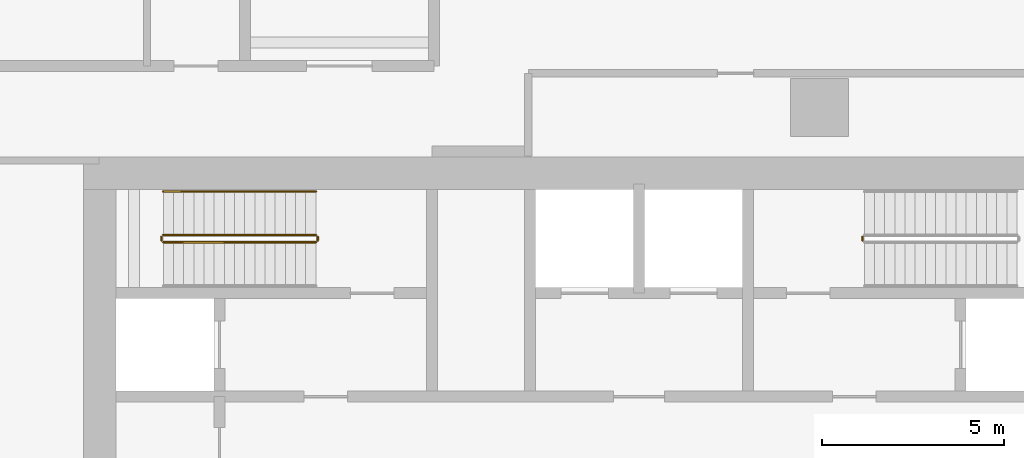
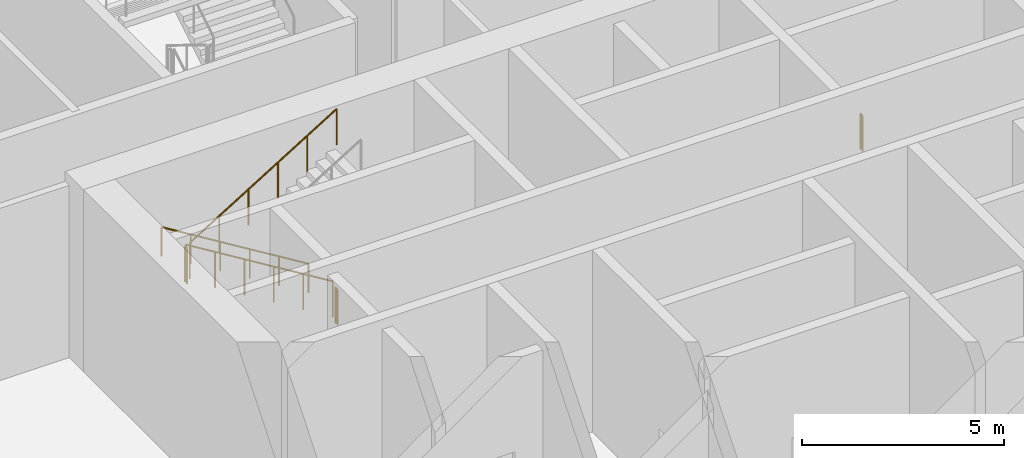
# One storey, part 20 of 31: 6 railings.
"""IFC4 building model written with IfcOpenShell, lengths in metres."""

from ifc_helpers import new_model, si_unit, direction, frame, origin, origin_2d, place, context, subcontext, project, spatial, circle, extrude, material, type_object, element, save


model = new_model("IFC4")

# Units and contexts
model_context = context("Model", 3, precision=1e-05, world=origin(), true_north=direction((0.0, 1.0)))
body_context = subcontext(model_context, "Body", "Model", "MODEL_VIEW")
ifc_project = project(units=[si_unit("LENGTHUNIT", "METRE"), si_unit("AREAUNIT", "SQUARE_METRE"), si_unit("VOLUMEUNIT", "CUBIC_METRE"), si_unit("PLANEANGLEUNIT", "RADIAN"), si_unit("MASSUNIT", "GRAM", prefix="KILO")], contexts=[model_context])

# Site, building, storey
site_placement = place(None, origin())
site = spatial("IfcSite", under=ifc_project, at=site_placement, CompositionType="ELEMENT")
building_placement = place(site_placement, origin())
building = spatial("IfcBuilding", under=site, at=building_placement, Name="Ogive Portal Towers", CompositionType="ELEMENT")
storey_placement = place(building_placement, frame((0.0, 0.0, 8.0)))
storey = spatial("IfcBuildingStorey", under=building, at=storey_placement, Name="L01", CompositionType="ELEMENT", Elevation=8.0)

# Railings
ifc_material_1 = material(Name="Stainless steel balustrade", Category="steel")
railing_type_1 = type_object("IfcRailingType", Name="INT-GUARD", PredefinedType="GUARDRAIL", material=ifc_material_1)
railing_1_placement = place(storey_placement, frame((37.449951171875, 37.800048828125, 0.171875)))
element("IfcRailing", 1, at=railing_1_placement, inside=storey, type_object=railing_type_1, Name="L01 ST-A1 stair guard 1", PredefinedType="GUARDRAIL", context=body_context, shape_type="SweptSolid", body=[
    extrude(circle(Radius=0.02392578125, at=origin_2d()), frame((0.0, 0.0, 1.076171875), z_axis=(-0.852242915053, 0.0, 0.523146264196), x_axis=(0.0, -1.0, 0.0)), (0.0, 0.0, 1.0), 4.92822265625),
    extrude(circle(Radius=0.02099609375, at=origin_2d()), origin(), (0.0, 0.0, 1.0), 1.052001953125),
    extrude(circle(Radius=0.02099609375, at=origin_2d()), frame((-0.840087890625, 0.0, 0.515625)), (0.0, 0.0, 1.0), 1.052001953125),
    extrude(circle(Radius=0.02099609375, at=origin_2d()), frame((-1.679931640625, 0.0, 1.03125)), (0.0, 0.0, 1.0), 1.052001953125),
    extrude(circle(Radius=0.02099609375, at=origin_2d()), frame((-2.52001953125, 0.0, 1.546875)), (0.0, 0.0, 1.0), 1.052001953125),
    extrude(circle(Radius=0.02099609375, at=origin_2d()), frame((-3.35986328125, 0.0, 2.0625)), (0.0, 0.0, 1.0), 1.052001953125),
    extrude(circle(Radius=0.02099609375, at=origin_2d()), frame((-4.199951171875, 0.0, 2.578125)), (0.0, 0.0, 1.0), 1.052001953125),
])
railing_2_placement = place(storey_placement, frame((33.199951171875, 37.75, 2.75)))
element("IfcRailing", 2, at=railing_2_placement, inside=storey, type_object=railing_type_1, Name="L01 ST-A1 stair guard 2", PredefinedType="GUARDRAIL", context=body_context, shape_type="SweptSolid", body=[
    extrude(circle(Radius=0.02392578125, at=origin_2d()), frame((0.0, 0.0, 1.076171875), z_axis=(0.0, -1.0, 0.0), x_axis=(1.0, 0.0, 0.0)), (0.0, 0.0, 1.0), 0.10009765625),
    extrude(circle(Radius=0.02099609375, at=origin_2d()), origin(), (0.0, 0.0, 1.0), 1.052001953125),
    extrude(circle(Radius=0.02099609375, at=origin_2d()), frame((0.0, -0.10009765625, 0.0)), (0.0, 0.0, 1.0), 1.052001953125),
])
railing_3_placement = place(storey_placement, frame((33.25, 37.60009765625, 2.921875)))
element("IfcRailing", 3, at=railing_3_placement, inside=storey, type_object=railing_type_1, Name="L01 ST-A1 stair guard 3", PredefinedType="GUARDRAIL", context=body_context, shape_type="SweptSolid", body=[
    extrude(circle(Radius=0.02392578125, at=origin_2d()), frame((0.0, 0.0, 1.076171875), z_axis=(0.852242915053, 0.0, 0.523146264196), x_axis=(0.0, 1.0, 0.0)), (0.0, 0.0, 1.0), 4.92822265625),
    extrude(circle(Radius=0.02099609375, at=origin_2d()), origin(), (0.0, 0.0, 1.0), 1.052001953125),
    extrude(circle(Radius=0.02099609375, at=origin_2d()), frame((0.840087890625, 0.0, 0.515625)), (0.0, 0.0, 1.0), 1.052001953125),
    extrude(circle(Radius=0.02099609375, at=origin_2d()), frame((1.679931640625, 0.0, 1.03125)), (0.0, 0.0, 1.0), 1.052001953125),
    extrude(circle(Radius=0.02099609375, at=origin_2d()), frame((2.52001953125, 0.0, 1.546875)), (0.0, 0.0, 1.0), 1.052001953125),
    extrude(circle(Radius=0.02099609375, at=origin_2d()), frame((3.35986328125, 0.0, 2.0625)), (0.0, 0.0, 1.0), 1.052001953125),
    extrude(circle(Radius=0.02099609375, at=origin_2d()), frame((4.199951171875, 0.0, 2.578125)), (0.0, 0.0, 1.0), 1.052001953125),
])
railing_4_placement = place(storey_placement, frame((37.5, 37.75, 0.0)))
element("IfcRailing", 4, at=railing_4_placement, inside=storey, type_object=railing_type_1, Name="L01 ST-A1 stair guard 4", PredefinedType="GUARDRAIL", context=body_context, shape_type="SweptSolid", body=[
    extrude(circle(Radius=0.02392578125, at=origin_2d()), frame((0.0, 0.0, 1.076171875), z_axis=(0.0, -1.0, 0.0), x_axis=(1.0, 0.0, 0.0)), (0.0, 0.0, 1.0), 0.10009765625),
    extrude(circle(Radius=0.02099609375, at=origin_2d()), origin(), (0.0, 0.0, 1.0), 1.052001953125),
    extrude(circle(Radius=0.02099609375, at=origin_2d()), frame((0.0, -0.10009765625, 0.0)), (0.0, 0.0, 1.0), 1.052001953125),
])
railing_5_placement = place(storey_placement, frame((52.5, 37.64990234375, 0.0)))
element("IfcRailing", 5, at=railing_5_placement, inside=storey, type_object=railing_type_1, Name="L01 ST-A2 stair guard 4", PredefinedType="GUARDRAIL", context=body_context, shape_type="SweptSolid", body=[
    extrude(circle(Radius=0.02392578125, at=origin_2d()), frame((0.0, 0.0, 1.076171875), z_axis=(0.0, 1.0, 0.0), x_axis=(-1.0, 0.0, 0.0)), (0.0, 0.0, 1.0), 0.10009765625),
    extrude(circle(Radius=0.02099609375, at=origin_2d()), origin(), (0.0, 0.0, 1.0), 1.052001953125),
    extrude(circle(Radius=0.02099609375, at=origin_2d()), frame((0.0, 0.10009765625, 0.0)), (0.0, 0.0, 1.0), 1.052001953125),
])
ifc_material_2 = material(Name="Stainless steel handrail", Category="steel")
railing_type_2 = type_object("IfcRailingType", Name="INT-HANDRAIL", PredefinedType="HANDRAIL", material=ifc_material_2)
railing_6_placement = place(storey_placement, frame((37.449951171875, 39.0, 0.171875)))
element("IfcRailing", 6, at=railing_6_placement, inside=storey, type_object=railing_type_2, Name="L01 ST-A1 stair handrail 1", PredefinedType="HANDRAIL", context=body_context, shape_type="SweptSolid", body=[
    extrude(circle(Radius=0.02392578125, at=origin_2d()), frame((0.0, 0.0, 0.8759765625), z_axis=(-0.852242915053, 0.0, 0.523146264196), x_axis=(0.0, -1.0, 0.0)), (0.0, 0.0, 1.0), 4.92822265625),
    extrude(circle(Radius=0.02099609375, at=origin_2d()), origin(), (0.0, 0.0, 1.0), 0.851806640625),
    extrude(circle(Radius=0.02099609375, at=origin_2d()), frame((-0.840087890625, 0.0, 0.515625)), (0.0, 0.0, 1.0), 0.851806640625),
    extrude(circle(Radius=0.02099609375, at=origin_2d()), frame((-1.679931640625, 0.0, 1.03125)), (0.0, 0.0, 1.0), 0.851806640625),
    extrude(circle(Radius=0.02099609375, at=origin_2d()), frame((-2.52001953125, 0.0, 1.546875)), (0.0, 0.0, 1.0), 0.851806640625),
    extrude(circle(Radius=0.02099609375, at=origin_2d()), frame((-3.35986328125, 0.0, 2.0625)), (0.0, 0.0, 1.0), 0.851806640625),
    extrude(circle(Radius=0.02099609375, at=origin_2d()), frame((-4.199951171875, 0.0, 2.578125)), (0.0, 0.0, 1.0), 0.851806640625),
])

save(model, "model.ifc")
